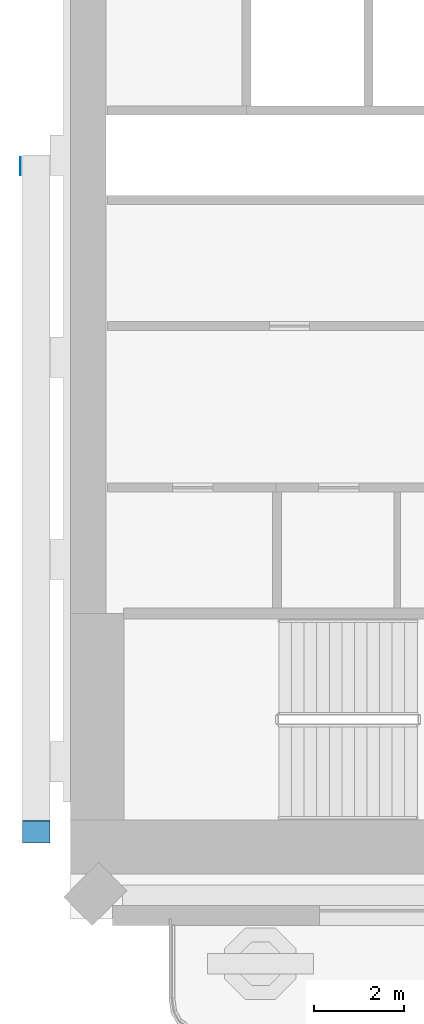
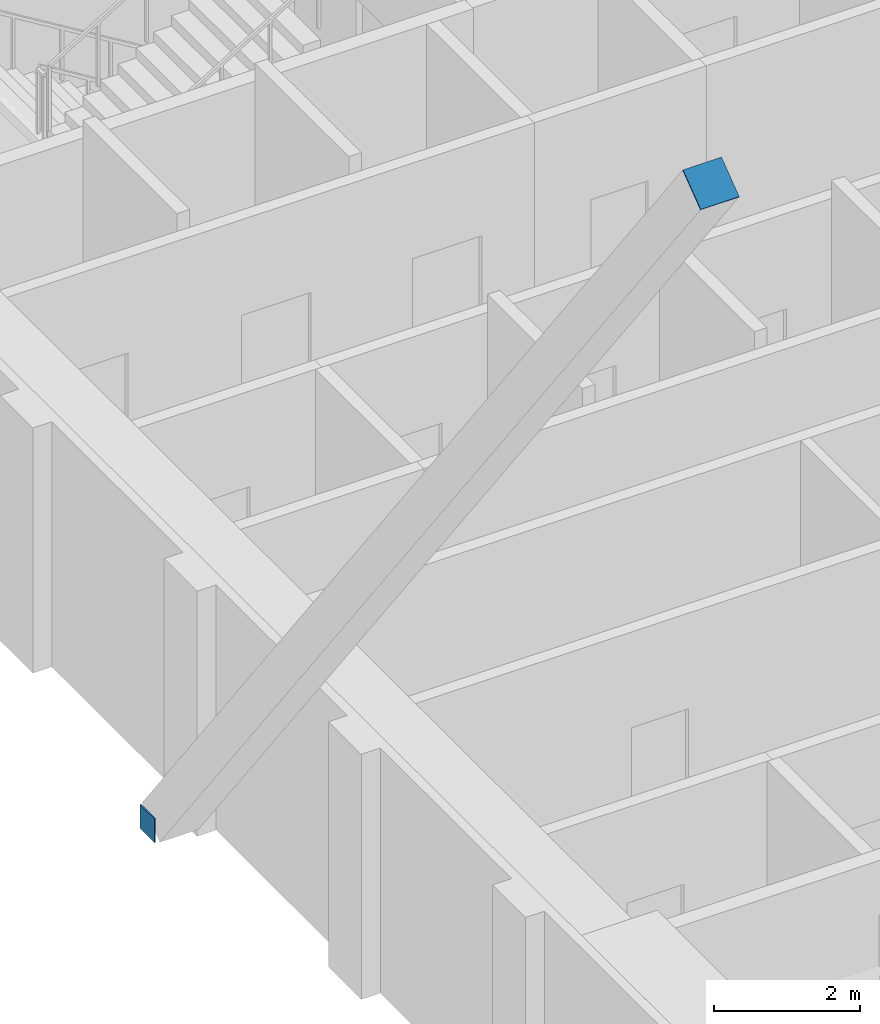
# One storey, part 9 of 17: 2 discrete accessories.
"""IFC4 building model written with IfcOpenShell, lengths in metres."""

from ifc_helpers import new_model, si_unit, direction, frame, origin, origin_2d, place, context, subcontext, project, spatial, rectangle, extrude, material, material_profile, profile_set, type_object, element, save


model = new_model("IFC4")

# Units and contexts
model_context = context("Model", 3, precision=1e-05, world=origin(), true_north=direction((0.0, 1.0)))
body_context = subcontext(model_context, "Body", "Model", "MODEL_VIEW")
ifc_project = project(units=[si_unit("LENGTHUNIT", "METRE"), si_unit("AREAUNIT", "SQUARE_METRE"), si_unit("VOLUMEUNIT", "CUBIC_METRE"), si_unit("PLANEANGLEUNIT", "RADIAN"), si_unit("MASSUNIT", "GRAM", prefix="KILO")], contexts=[model_context])

# Site, building, storey
site_placement = place(None, origin())
site = spatial("IfcSite", under=ifc_project, at=site_placement, CompositionType="ELEMENT")
building_placement = place(site_placement, origin())
building = spatial("IfcBuilding", under=site, at=building_placement, Name="Cypress Arch Tower", CompositionType="ELEMENT")
storey_placement = place(building_placement, frame((0.0, 0.0, 217.89990234375)))
storey = spatial("IfcBuildingStorey", under=building, at=storey_placement, Name="L48", CompositionType="ELEMENT", Elevation=217.89990234375)

# Discrete accessories
ifc_material_1 = material(Name="Steel ASTM A992", Category="steel")
ifc_material_profile_1 = material_profile(ifc_material_1, rectangle(XDim=0.609619140625, YDim=0.609619140625, at=origin_2d()), Name="PL 20 610x610")
ifc_profile_set_1 = profile_set([ifc_material_profile_1], Name="Steel ASTM A992")
discrete_accessory_type_1 = type_object("IfcDiscreteAccessoryType", Name="End cap plate 610x610x20 Steel ASTM A992", PredefinedType="ANCHORPLATE", material=ifc_profile_set_1)
discrete_accessory_1_placement = place(storey_placement, frame((-30.7548828125, -15.052734375, 19.875244140625), z_axis=(0.0, -0.601963784982, 0.798523388242), x_axis=(1.0, 0.0, 0.0)))
element("IfcDiscreteAccessory", 1, at=discrete_accessory_1_placement, inside=storey, type_object=discrete_accessory_type_1, Name="End cap plate west bracing 4", PredefinedType="ANCHORPLATE", context=body_context, shape_type="SweptSolid", body=[
    extrude(rectangle(XDim=0.609619140625, YDim=0.609619140625, at=origin_2d()), origin(), (0.0, 0.0, 1.0), 0.019775390625),
])
ifc_material_2 = material(Name="Steel ASTM A992", Category="steel")
ifc_material_profile_2 = material_profile(ifc_material_2, rectangle(XDim=0.39990234375, YDim=0.39990234375, at=origin_2d()), Name="PL 20 400x400")
ifc_profile_set_2 = profile_set([ifc_material_profile_2], Name="Steel ASTM A992")
discrete_accessory_type_2 = type_object("IfcDiscreteAccessoryType", Name="West bracing diagonal end plate 400x400x20 Steel ASTM A992", PredefinedType="ANCHORPLATE", material=ifc_profile_set_2)
discrete_accessory_2_placement = place(storey_placement, frame((-31.099609375, -0.24267578125, 0.320556640625), z_axis=(-1.0, 0.0, 0.0), x_axis=(0.0, -1.0, 0.0)))
element("IfcDiscreteAccessory", 2, at=discrete_accessory_2_placement, inside=storey, type_object=discrete_accessory_type_2, Name="End plate west bracing diagonal 4B", PredefinedType="ANCHORPLATE", context=body_context, shape_type="SweptSolid", body=[
    extrude(rectangle(XDim=0.39990234375, YDim=0.39990234375, at=origin_2d()), origin(), (0.0, 0.0, 1.0), 0.02001953125),
])

save(model, "model.ifc")
